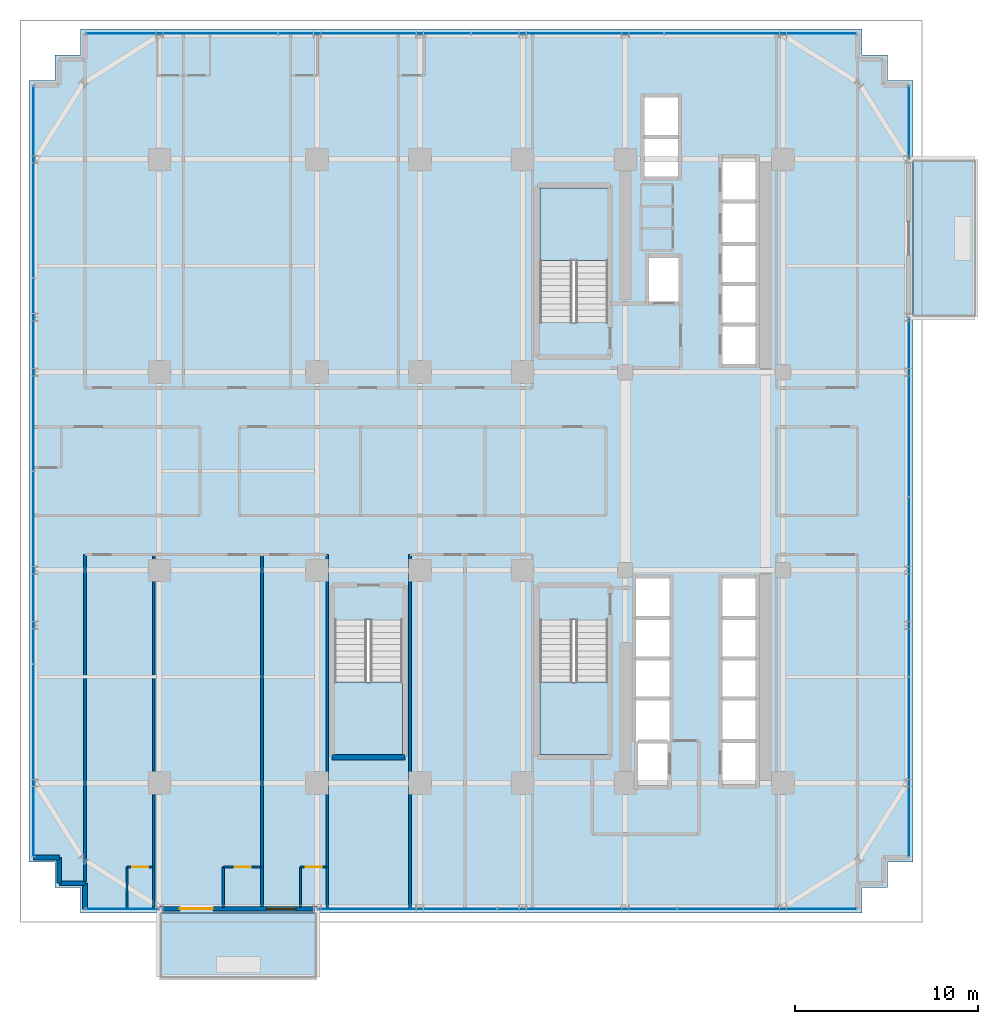
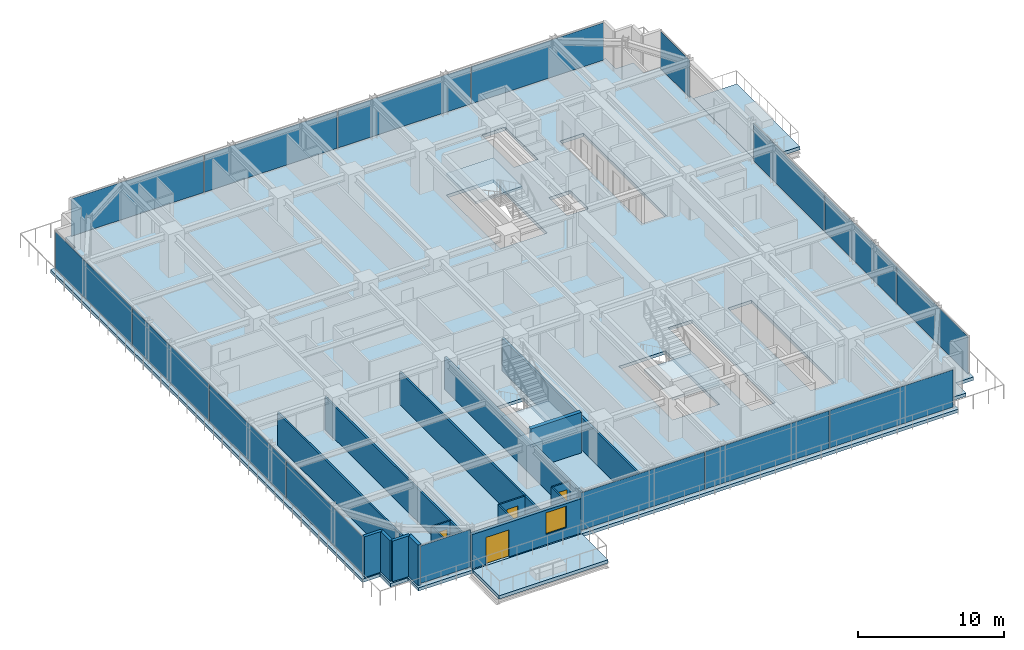
# One storey, part 26 of 34: 17 walls, 16 plates, 6 slabs, 4 doors, 1 window, 5 openings, 9 elements without a shape of their own.
"""IFC4 building model written with IfcOpenShell, lengths in metres."""

from ifc_helpers import new_model, si_unit, direction, frame, frame_2d, origin, origin_2d, place, context, subcontext, project, spatial, polyline, rectangle, outline, extrude, source, transform, mapped, material, layer, layer_set, type_object, element, fill, aggregate, save


model = new_model("IFC4")

# Units and contexts
model_context = context("Model", 3, precision=1e-05, world=origin(), true_north=direction((0.0, 1.0)))
body_context = subcontext(model_context, "Body", "Model", "MODEL_VIEW")
ifc_project = project(units=[si_unit("LENGTHUNIT", "METRE"), si_unit("AREAUNIT", "SQUARE_METRE"), si_unit("VOLUMEUNIT", "CUBIC_METRE"), si_unit("PLANEANGLEUNIT", "RADIAN"), si_unit("MASSUNIT", "GRAM", prefix="KILO")], contexts=[model_context])

# Site, building, storey
site_placement = place(None, origin())
site = spatial("IfcSite", under=ifc_project, at=site_placement, CompositionType="ELEMENT")
building_placement = place(site_placement, origin())
building = spatial("IfcBuilding", under=site, at=building_placement, Name="Nahalor Promenade Grand Hotel", CompositionType="ELEMENT")
storey_placement = place(building_placement, frame((0.0, 0.0, 88.300048828125)))
storey = spatial("IfcBuildingStorey", under=building, at=storey_placement, Name="L21", CompositionType="ELEMENT", Elevation=88.300048828125)

# Stair, slab
ifc_material_1 = material(Name="Concrete B-50 (C40/50)", Category="concrete")
stair_type_1 = type_object("IfcStairType", Name="Stair-ST1", PredefinedType="HALF_TURN_STAIR", material=ifc_material_1)
stair_1_placement = place(storey_placement, origin())
stair_1 = element("IfcStair", 1, at=stair_1_placement, inside=storey, type_object=stair_type_1, Name="L21 ST1", PredefinedType="HALF_TURN_STAIR")
ifc_layer_1 = layer(ifc_material_1, 0.199951171875)
ifc_layer_set_1 = layer_set([ifc_layer_1], Name="Concrete B-50 (C40/50)")
slab_type_1 = type_object("IfcSlabType", Name="Landing-ST1", PredefinedType="LANDING", material=ifc_layer_set_1)
slab_1_placement = place(storey_placement, frame((0.0, 0.0, 1.625)))
slab_1 = element("IfcSlab", 2, at=slab_1_placement, type_object=slab_type_1, Name="ST1 landing 1", PredefinedType="LANDING", context=body_context, shape_type="SweptSolid", body=[
    extrude(outline(polyline([(7.449951171875, 11.5), (7.449951171875, 15.449951171875), (3.75, 15.449951171875), (3.75, 11.5), (7.449951171875, 11.5)])), origin(), (0.0, 0.0, 1.0), 0.199951171875),
])
aggregate(stair_1, [slab_1])

stair_type_2 = type_object("IfcStairType", Name="Stair-ST2", PredefinedType="HALF_TURN_STAIR", material=ifc_material_1)
stair_2_placement = place(storey_placement, origin())
stair_2 = element("IfcStair", 3, at=stair_2_placement, inside=storey, type_object=stair_type_2, Name="L21 ST2", PredefinedType="HALF_TURN_STAIR")
ifc_layer_2 = layer(ifc_material_1, 0.2099609375)
ifc_layer_set_2 = layer_set([ifc_layer_2], Name="Concrete B-50 (C40/50)")
slab_type_2 = type_object("IfcSlabType", Name="Landing-ST2", PredefinedType="LANDING", material=ifc_layer_set_2)
slab_2_placement = place(storey_placement, frame((0.0, 0.0, 1.614990234375)))
slab_2 = element("IfcSlab", 4, at=slab_2_placement, type_object=slab_type_2, Name="ST2 landing 1", PredefinedType="LANDING", context=body_context, shape_type="SweptSolid", body=[
    extrude(outline(polyline([(3.75, -11.5), (3.75, -15.449951171875), (7.449951171875, -15.449951171875), (7.449951171875, -11.5), (3.75, -11.5)])), origin(), (0.0, 0.0, 1.0), 0.2099609375),
])
aggregate(stair_2, [slab_2])

stair_type_3 = type_object("IfcStairType", Name="Stair-ST3", PredefinedType="HALF_TURN_STAIR", material=ifc_material_1)
stair_3_placement = place(storey_placement, origin())
stair_3 = element("IfcStair", 5, at=stair_3_placement, inside=storey, type_object=stair_type_3, Name="L21 ST3", PredefinedType="HALF_TURN_STAIR")
ifc_layer_3 = layer(ifc_material_1, 0.219970703125)
ifc_layer_set_3 = layer_set([ifc_layer_3], Name="Concrete B-50 (C40/50)")
slab_type_3 = type_object("IfcSlabType", Name="Landing-ST3", PredefinedType="LANDING", material=ifc_layer_set_3)
slab_3_placement = place(storey_placement, frame((0.0, 0.0, 1.60498046875)))
slab_3 = element("IfcSlab", 6, at=slab_3_placement, type_object=slab_type_3, Name="ST3 landing 1", PredefinedType="LANDING", context=body_context, shape_type="SweptSolid", body=[
    extrude(outline(polyline([(-7.449951171875, -11.5), (-7.449951171875, -15.449951171875), (-3.75, -15.449951171875), (-3.75, -11.5), (-7.449951171875, -11.5)])), origin(), (0.0, 0.0, 1.0), 0.219970703125),
])
aggregate(stair_3, [slab_3])

# Slabs
ifc_layer_4 = layer(ifc_material_1, 0.280029296875)
ifc_layer_set_4 = layer_set([ifc_layer_4], Name="Concrete B-50 (C40/50)")
slab_type_4 = type_object("IfcSlabType", Name="Slab-Balcony-280", PredefinedType="FLOOR", material=ifc_layer_set_4)
slab_4_placement = place(storey_placement, frame((0.0, 0.0, -0.280029296875)))
element("IfcSlab", 7, at=slab_4_placement, inside=storey, type_object=slab_type_4, Name="L21 Cantilevered Planted Balcony 1", PredefinedType="FLOOR", context=body_context, shape_type="SweptSolid", body=[
    extrude(outline(polyline([(-17.0, -27.669921875), (-8.39990234375, -27.669921875), (-8.39990234375, -24.10009765625), (-17.0, -24.10009765625), (-17.0, -27.669921875)])), origin(), (0.0, 0.0, 1.0), 0.280029296875),
])
slab_5_placement = place(storey_placement, frame((0.0, 0.0, -0.280029296875)))
element("IfcSlab", 8, at=slab_5_placement, inside=storey, type_object=slab_type_4, Name="L21 Cantilevered Planted Balcony 2", PredefinedType="FLOOR", context=body_context, shape_type="SweptSolid", body=[
    extrude(outline(polyline([(24.10009765625, 8.39990234375), (27.550048828125, 8.39990234375), (27.550048828125, 17.0), (24.10009765625, 17.0), (24.10009765625, 8.39990234375)])), origin(), (0.0, 0.0, 1.0), 0.280029296875),
])
ifc_layer_5 = layer(ifc_material_1, 0.27001953125)
ifc_layer_set_5 = layer_set([ifc_layer_5], Name="Concrete B-50 (C40/50)")
slab_type_5 = type_object("IfcSlabType", Name="Slab-TowerZ2-270", PredefinedType="FLOOR", material=ifc_layer_set_5)
slab_6_placement = place(storey_placement, frame((0.0, 0.0, -0.27001953125)))
element("IfcSlab", 9, at=slab_6_placement, inside=storey, type_object=slab_type_5, Name="L21 Suspended Structural Floor Slab", PredefinedType="FLOOR", context=body_context, shape_type="SweptSolid", body=[
    extrude(outline(polyline([(-21.300048828125, -24.10009765625), (21.300048828125, -24.10009765625), (21.300048828125, -22.699951171875), (22.699951171875, -22.699951171875), (22.699951171875, -21.300048828125), (24.10009765625, -21.300048828125), (24.10009765625, 21.300048828125), (22.699951171875, 21.300048828125), (22.699951171875, 22.699951171875), (21.300048828125, 22.699951171875), (21.300048828125, 24.10009765625), (-21.300048828125, 24.10009765625), (-21.300048828125, 22.699951171875), (-22.699951171875, 22.699951171875), (-22.699951171875, 21.300048828125), (-24.10009765625, 21.300048828125), (-24.10009765625, -21.300048828125), (-22.699951171875, -21.300048828125), (-22.699951171875, -22.699951171875), (-21.300048828125, -22.699951171875), (-21.300048828125, -24.10009765625)]), holes=[polyline([(3.75, 8.10009765625), (7.449951171875, 8.10009765625), (7.449951171875, 15.449951171875), (3.75, 15.449951171875), (3.75, 8.10009765625)]), polyline([(3.75, -15.449951171875), (7.449951171875, -15.449951171875), (7.449951171875, -8.10009765625), (3.75, -8.10009765625), (3.75, -15.449951171875)]), polyline([(-7.449951171875, -15.449951171875), (-3.75, -15.449951171875), (-3.75, -8.10009765625), (-7.449951171875, -8.10009765625), (-7.449951171875, -15.449951171875)]), polyline([(13.659912109375, 5.81005859375), (15.5400390625, 5.81005859375), (15.5400390625, 17.139892578125), (13.659912109375, 17.139892578125), (13.659912109375, 5.81005859375)]), polyline([(13.659912109375, -17.139892578125), (15.5400390625, -17.139892578125), (15.5400390625, -5.81005859375), (13.659912109375, -5.81005859375), (13.659912109375, -17.139892578125)]), polyline([(8.9599609375, -17.18994140625), (10.840087890625, -17.18994140625), (10.840087890625, -5.81005859375), (8.9599609375, -5.81005859375), (8.9599609375, -17.18994140625)]), polyline([(9.409912109375, 16.010009765625), (11.2900390625, 16.010009765625), (11.2900390625, 20.43994140625), (9.409912109375, 20.43994140625), (9.409912109375, 16.010009765625)]), polyline([(9.659912109375, 9.2099609375), (11.340087890625, 9.2099609375), (11.340087890625, 11.68994140625), (9.659912109375, 11.68994140625), (9.659912109375, 9.2099609375)])]), origin(), (0.0, 0.0, 1.0), 0.27001953125),
])

# Curtain wall, plate
ifc_material_2 = material(Name="Anodised Bronze Aluminium EN AW-6063 T6", Category="aluminium")
curtain_wall_type = type_object("IfcCurtainWallType", Name="CW2 Typical Hotel Flush Bronze Unitised Curtain Wall", PredefinedType="USERDEFINED", material=ifc_material_2)
curtain_wall_1_placement = place(storey_placement, origin())
curtain_wall_1 = element("IfcCurtainWall", 10, at=curtain_wall_1_placement, inside=storey, type_object=curtain_wall_type, Name="L21 Curtain Wall CW-L21-S-1", ObjectType="UNITISED_CURTAIN_WALL", PredefinedType="USERDEFINED")
ifc_material_3 = material(Name="Low-E Laminated Solar Glass", Category="glass")
ifc_layer_6 = layer(ifc_material_3, 0.028076171875)
ifc_layer_set_6 = layer_set([ifc_layer_6], Name="Low-E Laminated Solar Glass")
plate_type = type_object("IfcPlateType", Name="CWP2 Bronze Low-E Vision IGU 28mm", PredefinedType="CURTAIN_PANEL", material=ifc_layer_set_6)
shared_shape_1 = source(origin(), body_context, "Body", "SweptSolid", [
    extrude(rectangle(XDim=3.929931640625, YDim=0.028076171875, at=origin_2d()), origin(), (0.0, 0.0, 1.0), 3.1201171875),
])
plate_1_placement = place(storey_placement, frame((-19.030029296875, -23.860107421875, 0.1298828125), z_axis=(0.0, 0.0, 1.0), x_axis=(1.0, 0.0, 0.0)))
plate_1 = element("IfcPlate", 11, at=plate_1_placement, type_object=plate_type, Name="CW-L21-S-1 Glazing Panel 0-0", PredefinedType="CURTAIN_PANEL", context=body_context, shape_type="MappedRepresentation", body=[
    mapped(shared_shape_1, transform((0.0, 0.0, 0.0), scale=1.0)),
])
aggregate(curtain_wall_1, [plate_1])

curtain_wall_2_placement = place(storey_placement, origin())
curtain_wall_2 = element("IfcCurtainWall", 12, at=curtain_wall_2_placement, inside=storey, type_object=curtain_wall_type, Name="L21 Curtain Wall CW-L21-E-3", ObjectType="UNITISED_CURTAIN_WALL", PredefinedType="USERDEFINED")
plate_2_placement = place(storey_placement, frame((23.860107421875, 19.030029296875, 0.1298828125), z_axis=(0.0, 0.0, 1.0), x_axis=(0.0, 1.0, 0.0)))
plate_2 = element("IfcPlate", 13, at=plate_2_placement, type_object=plate_type, Name="CW-L21-E-3 Glazing Panel 0-0", PredefinedType="CURTAIN_PANEL", context=body_context, shape_type="MappedRepresentation", body=[
    mapped(shared_shape_1, transform((0.0, 0.0, 0.0), scale=1.0)),
])
aggregate(curtain_wall_2, [plate_2])

# Curtain wall, plates
curtain_wall_3_placement = place(storey_placement, origin())
curtain_wall_3 = element("IfcCurtainWall", 14, at=curtain_wall_3_placement, inside=storey, type_object=curtain_wall_type, Name="L21 Curtain Wall CW-L21-S-3", ObjectType="UNITISED_CURTAIN_WALL", PredefinedType="USERDEFINED")
shared_shape_2 = source(origin(), body_context, "Body", "SweptSolid", [
    extrude(rectangle(XDim=9.722412109375, YDim=0.028076171875, at=origin_2d()), origin(), (0.0, 0.0, 1.0), 3.1201171875),
])
plate_3_placement = place(storey_placement, frame((-3.4736328125, -23.860107421875, 0.1298828125), z_axis=(0.0, 0.0, 1.0), x_axis=(1.0, 0.0, 0.0)))
plate_3 = element("IfcPlate", 15, at=plate_3_placement, type_object=plate_type, Name="CW-L21-S-3 Glazing Panel 0-0", PredefinedType="CURTAIN_PANEL", context=body_context, shape_type="MappedRepresentation", body=[
    mapped(shared_shape_2, transform((0.0, 0.0, 0.0), scale=1.0)),
])
plate_4_placement = place(storey_placement, frame((16.1337890625, -23.860107421875, 0.1298828125), z_axis=(0.0, 0.0, 1.0), x_axis=(1.0, 0.0, 0.0)))
plate_4 = element("IfcPlate", 16, at=plate_4_placement, type_object=plate_type, Name="CW-L21-S-3 Glazing Panel 2-0", PredefinedType="CURTAIN_PANEL", context=body_context, shape_type="MappedRepresentation", body=[
    mapped(shared_shape_2, transform((0.0, 0.0, 0.0), scale=1.0)),
])

curtain_wall_4_placement = place(storey_placement, origin())
curtain_wall_4 = element("IfcCurtainWall", 17, at=curtain_wall_4_placement, inside=storey, type_object=curtain_wall_type, Name="L21 Curtain Wall CW-L21-E-1", ObjectType="UNITISED_CURTAIN_WALL", PredefinedType="USERDEFINED")
plate_5_placement = place(storey_placement, frame((23.860107421875, -16.1337890625, 0.1298828125), z_axis=(0.0, 0.0, 1.0), x_axis=(0.0, 1.0, 0.0)))
plate_5 = element("IfcPlate", 18, at=plate_5_placement, type_object=plate_type, Name="CW-L21-E-1 Glazing Panel 0-0", PredefinedType="CURTAIN_PANEL", context=body_context, shape_type="MappedRepresentation", body=[
    mapped(shared_shape_2, transform((0.0, 0.0, 0.0), scale=1.0)),
])
plate_6_placement = place(storey_placement, frame((23.860107421875, 3.4736328125, 0.1298828125), z_axis=(0.0, 0.0, 1.0), x_axis=(0.0, 1.0, 0.0)))
plate_6 = element("IfcPlate", 19, at=plate_6_placement, type_object=plate_type, Name="CW-L21-E-1 Glazing Panel 2-0", PredefinedType="CURTAIN_PANEL", context=body_context, shape_type="MappedRepresentation", body=[
    mapped(shared_shape_2, transform((0.0, 0.0, 0.0), scale=1.0)),
])

# Plate
shared_shape_3 = source(origin(), body_context, "Body", "SweptSolid", [
    extrude(rectangle(XDim=9.7548828125, YDim=0.028076171875, at=origin_2d()), origin(), (0.0, 0.0, 1.0), 3.1201171875),
])
plate_7_placement = place(storey_placement, frame((6.330078125, -23.860107421875, 0.1298828125), z_axis=(0.0, 0.0, 1.0), x_axis=(1.0, 0.0, 0.0)))
plate_7 = element("IfcPlate", 20, at=plate_7_placement, type_object=plate_type, Name="CW-L21-S-3 Glazing Panel 1-0", PredefinedType="CURTAIN_PANEL", context=body_context, shape_type="MappedRepresentation", body=[
    mapped(shared_shape_3, transform((0.0, 0.0, 0.0), scale=1.0)),
])

aggregate(curtain_wall_3, [plate_3, plate_7, plate_4])

plate_8_placement = place(storey_placement, frame((23.860107421875, -6.330078125, 0.1298828125), z_axis=(0.0, 0.0, 1.0), x_axis=(0.0, 1.0, 0.0)))
plate_8 = element("IfcPlate", 21, at=plate_8_placement, type_object=plate_type, Name="CW-L21-E-1 Glazing Panel 1-0", PredefinedType="CURTAIN_PANEL", context=body_context, shape_type="MappedRepresentation", body=[
    mapped(shared_shape_3, transform((0.0, 0.0, 0.0), scale=1.0)),
])

aggregate(curtain_wall_4, [plate_5, plate_8, plate_6])

# Curtain wall, plates
curtain_wall_5_placement = place(storey_placement, origin())
curtain_wall_5 = element("IfcCurtainWall", 22, at=curtain_wall_5_placement, inside=storey, type_object=curtain_wall_type, Name="L21 Curtain Wall CW-L21-N-1", ObjectType="UNITISED_CURTAIN_WALL", PredefinedType="USERDEFINED")
shared_shape_4 = source(origin(), body_context, "Body", "SweptSolid", [
    extrude(rectangle(XDim=10.4326171875, YDim=0.028076171875, at=origin_2d()), origin(), (0.0, 0.0, 1.0), 3.1201171875),
])
plate_9_placement = place(storey_placement, frame((-15.77880859375, 23.860107421875, 0.1298828125), z_axis=(0.0, 0.0, 1.0), x_axis=(1.0, 0.0, 0.0)))
plate_9 = element("IfcPlate", 23, at=plate_9_placement, type_object=plate_type, Name="CW-L21-N-1 Glazing Panel 0-0", PredefinedType="CURTAIN_PANEL", context=body_context, shape_type="MappedRepresentation", body=[
    mapped(shared_shape_4, transform((0.0, 0.0, 0.0), scale=1.0)),
])
plate_10_placement = place(storey_placement, frame((15.77880859375, 23.860107421875, 0.1298828125), z_axis=(0.0, 0.0, 1.0), x_axis=(1.0, 0.0, 0.0)))
plate_10 = element("IfcPlate", 24, at=plate_10_placement, type_object=plate_type, Name="CW-L21-N-1 Glazing Panel 3-0", PredefinedType="CURTAIN_PANEL", context=body_context, shape_type="MappedRepresentation", body=[
    mapped(shared_shape_4, transform((0.0, 0.0, 0.0), scale=1.0)),
])

curtain_wall_6_placement = place(storey_placement, origin())
curtain_wall_6 = element("IfcCurtainWall", 25, at=curtain_wall_6_placement, inside=storey, type_object=curtain_wall_type, Name="L21 Curtain Wall CW-L21-W-1", ObjectType="UNITISED_CURTAIN_WALL", PredefinedType="USERDEFINED")
plate_11_placement = place(storey_placement, frame((-23.860107421875, -15.77880859375, 0.1298828125), z_axis=(0.0, 0.0, 1.0), x_axis=(0.0, 1.0, 0.0)))
plate_11 = element("IfcPlate", 26, at=plate_11_placement, type_object=plate_type, Name="CW-L21-W-1 Glazing Panel 0-0", PredefinedType="CURTAIN_PANEL", context=body_context, shape_type="MappedRepresentation", body=[
    mapped(shared_shape_4, transform((0.0, 0.0, 0.0), scale=1.0)),
])
plate_12_placement = place(storey_placement, frame((-23.860107421875, 15.77880859375, 0.1298828125), z_axis=(0.0, 0.0, 1.0), x_axis=(0.0, 1.0, 0.0)))
plate_12 = element("IfcPlate", 27, at=plate_12_placement, type_object=plate_type, Name="CW-L21-W-1 Glazing Panel 3-0", PredefinedType="CURTAIN_PANEL", context=body_context, shape_type="MappedRepresentation", body=[
    mapped(shared_shape_4, transform((0.0, 0.0, 0.0), scale=1.0)),
])

# Plate
shared_shape_5 = source(origin(), body_context, "Body", "SweptSolid", [
    extrude(rectangle(XDim=10.465087890625, YDim=0.028076171875, at=origin_2d()), origin(), (0.0, 0.0, 1.0), 3.1201171875),
])
plate_13_placement = place(storey_placement, frame((-5.264892578125, 23.860107421875, 0.1298828125), z_axis=(0.0, 0.0, 1.0), x_axis=(1.0, 0.0, 0.0)))
plate_13 = element("IfcPlate", 28, at=plate_13_placement, type_object=plate_type, Name="CW-L21-N-1 Glazing Panel 1-0", PredefinedType="CURTAIN_PANEL", context=body_context, shape_type="MappedRepresentation", body=[
    mapped(shared_shape_5, transform((0.0, 0.0, 0.0), scale=1.0)),
])

plate_14_placement = place(storey_placement, frame((5.264892578125, 23.860107421875, 0.1298828125), z_axis=(0.0, 0.0, 1.0), x_axis=(1.0, 0.0, 0.0)))
plate_14 = element("IfcPlate", 29, at=plate_14_placement, type_object=plate_type, Name="CW-L21-N-1 Glazing Panel 2-0", PredefinedType="CURTAIN_PANEL", context=body_context, shape_type="MappedRepresentation", body=[
    mapped(shared_shape_5, transform((0.0, 0.0, 0.0), scale=1.0)),
])

aggregate(curtain_wall_5, [plate_9, plate_13, plate_14, plate_10])

plate_15_placement = place(storey_placement, frame((-23.860107421875, -5.264892578125, 0.1298828125), z_axis=(0.0, 0.0, 1.0), x_axis=(0.0, 1.0, 0.0)))
plate_15 = element("IfcPlate", 30, at=plate_15_placement, type_object=plate_type, Name="CW-L21-W-1 Glazing Panel 1-0", PredefinedType="CURTAIN_PANEL", context=body_context, shape_type="MappedRepresentation", body=[
    mapped(shared_shape_5, transform((0.0, 0.0, 0.0), scale=1.0)),
])

plate_16_placement = place(storey_placement, frame((-23.860107421875, 5.264892578125, 0.1298828125), z_axis=(0.0, 0.0, 1.0), x_axis=(0.0, 1.0, 0.0)))
plate_16 = element("IfcPlate", 31, at=plate_16_placement, type_object=plate_type, Name="CW-L21-W-1 Glazing Panel 2-0", PredefinedType="CURTAIN_PANEL", context=body_context, shape_type="MappedRepresentation", body=[
    mapped(shared_shape_5, transform((0.0, 0.0, 0.0), scale=1.0)),
])

aggregate(curtain_wall_6, [plate_11, plate_15, plate_16, plate_12])

# Walls
ifc_layer_7 = layer(ifc_material_1, 0.300048828125)
ifc_layer_set_7 = layer_set([ifc_layer_7], Name="Concrete B-50 (C40/50)")
wall_type_1 = type_object("IfcWallType", Name="Wall-ShaftShear-300", PredefinedType="SHEAR", material=ifc_layer_set_7)
shared_shape_6 = source(origin(), body_context, "Body", "SweptSolid", [
    extrude(rectangle(XDim=3.97998046875, YDim=0.300048828125, at=frame_2d((1.989990234375, 0.0))), origin(), (0.0, 0.0, 1.0), 3.3798828125),
])
wall_1_placement = place(storey_placement, frame((-7.590087890625, -15.590087890625, 0.0), z_axis=(0.0, 0.0, 1.0), x_axis=(1.0, 0.0, 0.0)))
element("IfcWall", 32, at=wall_1_placement, inside=storey, type_object=wall_type_1, Name="L21 Exit Stair ST3 Shaft Wall S", PredefinedType="SHEAR", context=body_context, shape_type="MappedRepresentation", body=[
    mapped(shared_shape_6, transform((0.0, 0.0, 0.0), scale=1.0)),
])
ifc_material_4 = material(Name="Concrete B-40 (C32/40)", Category="concrete")
ifc_layer_8 = layer(ifc_material_4, 0.25)
ifc_layer_set_8 = layer_set([ifc_layer_8], Name="Concrete B-40 (C32/40)")
wall_type_2 = type_object("IfcWallType", Name="Wall-BronzePier-250", PredefinedType="STANDARD", material=ifc_layer_set_8)
shared_shape_7 = source(origin(), body_context, "Body", "SweptSolid", [
    extrude(rectangle(XDim=1.400146484375, YDim=0.25, at=frame_2d((0.7001953125, 0.0))), origin(), (0.0, 0.0, 1.0), 3.3798828125),
])
for number, where, z_axis, x_axis, name in (
    (33, (-23.860107421875, -21.06005859375, 0.0), (0.0, 0.0, 1.0), (1.0, 0.0, 0.0), "W-L21-SR-13"),
    (34, (-21.06005859375, -23.860107421875, 0.0), (0.0, 0.0, 1.0), (0.0, 1.0, 0.0), "W-L21-SR-16"),
):
    element("IfcWall", number, at=place(storey_placement, frame(where, z_axis=z_axis, x_axis=x_axis)), inside=storey, type_object=wall_type_2, Name=name, PredefinedType="STANDARD", context=body_context, shape_type="MappedRepresentation", body=[
        mapped(shared_shape_7, transform((0.0, 0.0, 0.0), scale=1.0)),
    ])
shared_shape_8 = source(origin(), body_context, "Body", "SweptSolid", [
    extrude(rectangle(XDim=1.39990234375, YDim=0.25, at=frame_2d((0.699951171875, 0.0))), origin(), (0.0, 0.0, 1.0), 3.3798828125),
])
for number, where, z_axis, x_axis, name in (
    (35, (-22.4599609375, -22.4599609375, 0.0), (0.0, 0.0, 1.0), (0.0, 1.0, 0.0), "W-L21-SR-14"),
    (36, (-22.4599609375, -22.4599609375, 0.0), (0.0, 0.0, 1.0), (1.0, 0.0, 0.0), "W-L21-SR-15"),
):
    element("IfcWall", number, at=place(storey_placement, frame(where, z_axis=z_axis, x_axis=x_axis)), inside=storey, type_object=wall_type_2, Name=name, PredefinedType="STANDARD", context=body_context, shape_type="MappedRepresentation", body=[
        mapped(shared_shape_8, transform((0.0, 0.0, 0.0), scale=1.0)),
    ])

# Wall, openings, door, window
ifc_layer_9 = layer(ifc_material_4, 0.260009765625)
ifc_layer_set_9 = layer_set([ifc_layer_9], Name="Concrete B-40 (C32/40)")
wall_type_3 = type_object("IfcWallType", Name="Wall-BalconyWall-260", PredefinedType="STANDARD", material=ifc_layer_set_9)
shared_shape_9 = source(origin(), body_context, "Body", "SweptSolid", [
    extrude(rectangle(XDim=8.60009765625, YDim=0.260009765625, at=frame_2d((4.300048828125, 0.0))), origin(), (0.0, 0.0, 1.0), 2.85986328125),
])
wall_2_placement = place(storey_placement, frame((-17.0, -23.860107421875, 0.0), z_axis=(0.0, 0.0, 1.0), x_axis=(1.0, 0.0, 0.0)))
wall_2 = element("IfcWall", 37, at=wall_2_placement, inside=storey, type_object=wall_type_3, Name="W-L21-BALC-S-2", PredefinedType="STANDARD", context=body_context, shape_type="MappedRepresentation", body=[
    mapped(shared_shape_9, transform((0.0, 0.0, 0.0), scale=1.0)),
])
opening_1_placement = place(wall_2_placement, frame((1.114990234375, 0.0, 0.0)))
opening_1 = element("IfcOpeningElement", 38, at=opening_1_placement, cuts=wall_2, Name="Opening D-BC1", PredefinedType="OPENING", context=body_context, shape_type="SweptSolid", body=[
    extrude(rectangle(XDim=1.800048828125, YDim=2.25, at=frame_2d((0.89990234375, 1.125))), frame((0.0, 0.139892578125, 0.0), z_axis=(0.0, -1.0, 0.0), x_axis=(1.0, 0.0, 0.0)), (0.0, 0.0, 1.0), 0.280029296875),
])
opening_2_placement = place(wall_2_placement, frame((5.840087890625, 0.0, 0.85009765625)))
opening_2 = element("IfcOpeningElement", 39, at=opening_2_placement, cuts=wall_2, Name="Opening WN-03", PredefinedType="OPENING", context=body_context, shape_type="SweptSolid", body=[
    extrude(rectangle(XDim=1.60009765625, YDim=1.800048828125, at=frame_2d((0.800048828125, 0.89990234375))), frame((0.0, 0.139892578125, 0.0), z_axis=(0.0, -1.0, 0.0), x_axis=(1.0, 0.0, 0.0)), (0.0, 0.0, 1.0), 0.280029296875),
])
door_type_1 = type_object("IfcDoorType", Name="Door-BalconySlide-1800", OperationType="DOUBLE_DOOR_SLIDING", PredefinedType="DOOR", material=ifc_material_2)
shared_shape_10 = source(origin(), body_context, "Body", "SweptSolid", [
    extrude(rectangle(XDim=1.800048828125, YDim=2.25, at=frame_2d((0.89990234375, 1.125))), frame((0.0, 0.02490234375, 0.0), z_axis=(0.0, -1.0, 0.0), x_axis=(1.0, 0.0, 0.0)), (0.0, 0.0, 1.0), 0.050048828125),
])
door_1_placement = place(opening_1_placement, frame((1.800048828125, 0.0, 0.0), z_axis=(0.0, 0.0, 1.0), x_axis=(-1.0, 0.0, 0.0)))
door_1 = element("IfcDoor", 40, at=door_1_placement, inside=storey, type_object=door_type_1, Name="DR-L21-BALC-S-2", OperationType="DOUBLE_DOOR_SLIDING", OverallHeight=2.25, OverallWidth=1.800048828125, PredefinedType="DOOR", context=body_context, shape_type="MappedRepresentation", body=[
    mapped(shared_shape_10, transform((0.0, 0.0, 0.0), scale=1.0)),
])
fill(opening_1, door_1)
window_type = type_object("IfcWindowType", Name="Win-CrownVented-1600x1800", PartitioningType="SINGLE_PANEL", PredefinedType="WINDOW", material=ifc_material_3)
shared_shape_11 = source(origin(), body_context, "Body", "SweptSolid", [
    extrude(rectangle(XDim=1.60009765625, YDim=1.800048828125, at=frame_2d((0.800048828125, 0.89990234375))), frame((0.0, 0.030029296875, 0.0), z_axis=(0.0, -1.0, 0.0), x_axis=(1.0, 0.0, 0.0)), (0.0, 0.0, 1.0), 0.06005859375),
])
window_placement = place(opening_2_placement, origin())
window = element("IfcWindow", 41, at=window_placement, inside=storey, type_object=window_type, Name="WN-L21-BALC-S-2-1", OverallHeight=1.800048828125, OverallWidth=1.60009765625, PartitioningType="SINGLE_PANEL", PredefinedType="WINDOW", context=body_context, shape_type="MappedRepresentation", body=[
    mapped(shared_shape_11, transform((0.0, 0.0, 0.0), scale=1.0)),
])
fill(opening_2, window)

# Walls
ifc_material_5 = material(Name="Acoustic Mineral Gypsum", Category="gypsum")
ifc_layer_10 = layer(ifc_material_5, 0.159912109375)
ifc_layer_set_10 = layer_set([ifc_layer_10], Name="Acoustic Mineral Gypsum")
wall_type_4 = type_object("IfcWallType", Name="Wall-PartCorridor-160", PredefinedType="PARTITIONING", material=ifc_layer_set_10)
shared_shape_12 = source(origin(), body_context, "Body", "SweptSolid", [
    extrude(rectangle(XDim=19.25, YDim=0.159912109375, at=frame_2d((9.625, 0.0))), origin(), (0.0, 0.0, 1.0), 2.719970703125),
])
wall_3_placement = place(storey_placement, frame((-3.340087890625, -23.800048828125, 0.0), z_axis=(0.0, 0.0, 1.0), x_axis=(0.0, 1.0, 0.0)))
element("IfcWall", 42, at=wall_3_placement, inside=storey, type_object=wall_type_4, Name="W-L21-SCB1-W", PredefinedType="PARTITIONING", context=body_context, shape_type="MappedRepresentation", body=[
    mapped(shared_shape_12, transform((0.0, 0.0, 0.0), scale=1.0)),
])
ifc_layer_11 = layer(ifc_material_5, 0.139892578125)
ifc_layer_set_11 = layer_set([ifc_layer_11], Name="Acoustic Mineral Gypsum")
wall_type_5 = type_object("IfcWallType", Name="Wall-PartSuite-140", PredefinedType="PARTITIONING", material=ifc_layer_set_11)
shared_shape_13 = source(origin(), body_context, "Body", "SweptSolid", [
    extrude(rectangle(XDim=17.829833984375, YDim=0.139892578125, at=frame_2d((8.9150390625, 0.0))), origin(), (0.0, 0.0, 1.0), 2.719970703125),
])
wall_4_placement = place(storey_placement, frame((-21.06005859375, -22.3798828125, 0.0), z_axis=(0.0, 0.0, 1.0), x_axis=(0.0, 1.0, 0.0)))
element("IfcWall", 43, at=wall_4_placement, inside=storey, type_object=wall_type_5, Name="W-L21-SW-ENDW", PredefinedType="PARTITIONING", context=body_context, shape_type="MappedRepresentation", body=[
    mapped(shared_shape_13, transform((0.0, 0.0, 0.0), scale=1.0)),
])
shared_shape_14 = source(origin(), body_context, "Body", "SweptSolid", [
    extrude(rectangle(XDim=19.25, YDim=0.139892578125, at=frame_2d((9.625, 0.0))), origin(), (0.0, 0.0, 1.0), 2.719970703125),
])
for number, where, z_axis, x_axis, name in (
    (44, (-7.860107421875, -23.800048828125, 0.0), (0.0, 0.0, 1.0), (0.0, 1.0, 0.0), "W-L21-SW-ENDE"),
    (45, (-17.322021484375, -23.800048828125, 0.0), (0.0, 0.0, 1.0), (0.0, 1.0, 0.0), "W-L21-SP-1"),
    (46, (-11.409912109375, -23.800048828125, 0.0), (0.0, 0.0, 1.0), (0.0, 1.0, 0.0), "W-L21-SP-2"),
):
    element("IfcWall", number, at=place(storey_placement, frame(where, z_axis=z_axis, x_axis=x_axis)), inside=storey, type_object=wall_type_5, Name=name, PredefinedType="PARTITIONING", context=body_context, shape_type="MappedRepresentation", body=[
        mapped(shared_shape_14, transform((0.0, 0.0, 0.0), scale=1.0)),
    ])
ifc_layer_12 = layer(ifc_material_5, 0.1201171875)
ifc_layer_set_12 = layer_set([ifc_layer_12], Name="Acoustic Mineral Gypsum")
wall_type_6 = type_object("IfcWallType", Name="Wall-PartBath-120", PredefinedType="PARTITIONING", material=ifc_layer_set_12)
shared_shape_15 = source(origin(), body_context, "Body", "SweptSolid", [
    extrude(rectangle(XDim=2.219970703125, YDim=0.1201171875, at=frame_2d((1.10986328125, 0.0))), origin(), (0.0, 0.0, 1.0), 2.719970703125),
])
for number, where, z_axis, x_axis, name in (
    (47, (-18.77197265625, -23.800048828125, 0.0), (0.0, 0.0, 1.0), (0.0, 1.0, 0.0), "W-L21-S1-BV"),
    (48, (-13.52001953125, -23.800048828125, 0.0), (0.0, 0.0, 1.0), (0.0, 1.0, 0.0), "W-L21-S2-BV"),
    (49, (-9.31005859375, -23.800048828125, 0.0), (0.0, 0.0, 1.0), (0.0, 1.0, 0.0), "W-L21-S3-BV"),
):
    element("IfcWall", number, at=place(storey_placement, frame(where, z_axis=z_axis, x_axis=x_axis)), inside=storey, type_object=wall_type_6, Name=name, PredefinedType="PARTITIONING", context=body_context, shape_type="MappedRepresentation", body=[
        mapped(shared_shape_15, transform((0.0, 0.0, 0.0), scale=1.0)),
    ])

# Wall, opening, door
shared_shape_16 = source(origin(), body_context, "Body", "SweptSolid", [
    extrude(rectangle(XDim=1.449951171875, YDim=0.1201171875, at=frame_2d((0.72509765625, 0.0))), origin(), (0.0, 0.0, 1.0), 2.719970703125),
])
wall_5_placement = place(storey_placement, frame((-18.77197265625, -21.580078125, 0.0), z_axis=(0.0, 0.0, 1.0), x_axis=(1.0, 0.0, 0.0)))
wall_5 = element("IfcWall", 50, at=wall_5_placement, inside=storey, type_object=wall_type_6, Name="W-L21-S1-BH", PredefinedType="PARTITIONING", context=body_context, shape_type="MappedRepresentation", body=[
    mapped(shared_shape_16, transform((0.0, 0.0, 0.0), scale=1.0)),
])
opening_3_placement = place(wall_5_placement, frame((0.284912109375, 0.0, 0.0)))
opening_3 = element("IfcOpeningElement", 51, at=opening_3_placement, cuts=wall_5, Name="Opening D-03", PredefinedType="OPENING", context=body_context, shape_type="SweptSolid", body=[
    extrude(rectangle(XDim=0.8798828125, YDim=2.10009765625, at=frame_2d((0.43994140625, 1.050048828125))), frame((0.0, 0.070068359375, 0.0), z_axis=(0.0, -1.0, 0.0), x_axis=(1.0, 0.0, 0.0)), (0.0, 0.0, 1.0), 0.14013671875),
])
ifc_material_6 = material(Name="Fire-Rated Timber Composite", Category="wood")
door_type_2 = type_object("IfcDoorType", Name="Door-BathSwing-880", OperationType="NOTDEFINED", PredefinedType="DOOR", material=ifc_material_6)
shared_shape_17 = source(origin(), body_context, "Body", "SweptSolid", [
    extrude(rectangle(XDim=0.8798828125, YDim=2.10009765625, at=frame_2d((0.43994140625, 1.050048828125))), frame((0.0, 0.02490234375, 0.0), z_axis=(0.0, -1.0, 0.0), x_axis=(1.0, 0.0, 0.0)), (0.0, 0.0, 1.0), 0.050048828125),
])
door_2_placement = place(opening_3_placement, frame((0.8798828125, 0.0, 0.0), z_axis=(0.0, 0.0, 1.0), x_axis=(-1.0, 0.0, 0.0)))
door_2 = element("IfcDoor", 52, at=door_2_placement, inside=storey, type_object=door_type_2, Name="DR-L21-S1-BATH", OperationType="SINGLE_SWING_LEFT", OverallHeight=2.10009765625, OverallWidth=0.8798828125, PredefinedType="DOOR", context=body_context, shape_type="MappedRepresentation", body=[
    mapped(shared_shape_17, transform((0.0, 0.0, 0.0), scale=1.0)),
])
fill(opening_3, door_2)

wall_6_placement = place(storey_placement, frame((-9.31005859375, -21.580078125, 0.0), z_axis=(0.0, 0.0, 1.0), x_axis=(1.0, 0.0, 0.0)))
wall_6 = element("IfcWall", 53, at=wall_6_placement, inside=storey, type_object=wall_type_6, Name="W-L21-S3-BH", PredefinedType="PARTITIONING", context=body_context, shape_type="MappedRepresentation", body=[
    mapped(shared_shape_16, transform((0.0, 0.0, 0.0), scale=1.0)),
])
opening_4_placement = place(wall_6_placement, frame((0.284912109375, 0.0, 0.0)))
opening_4 = element("IfcOpeningElement", 54, at=opening_4_placement, cuts=wall_6, Name="Opening D-03", PredefinedType="OPENING", context=body_context, shape_type="SweptSolid", body=[
    extrude(rectangle(XDim=0.8798828125, YDim=2.10009765625, at=frame_2d((0.43994140625, 1.050048828125))), frame((0.0, 0.070068359375, 0.0), z_axis=(0.0, -1.0, 0.0), x_axis=(1.0, 0.0, 0.0)), (0.0, 0.0, 1.0), 0.14013671875),
])
door_3_placement = place(opening_4_placement, frame((0.8798828125, 0.0, 0.0), z_axis=(0.0, 0.0, 1.0), x_axis=(-1.0, 0.0, 0.0)))
door_3 = element("IfcDoor", 55, at=door_3_placement, inside=storey, type_object=door_type_2, Name="DR-L21-S3-BATH", OperationType="SINGLE_SWING_LEFT", OverallHeight=2.10009765625, OverallWidth=0.8798828125, PredefinedType="DOOR", context=body_context, shape_type="MappedRepresentation", body=[
    mapped(shared_shape_17, transform((0.0, 0.0, 0.0), scale=1.0)),
])
fill(opening_4, door_3)

shared_shape_18 = source(origin(), body_context, "Body", "SweptSolid", [
    extrude(rectangle(XDim=2.110107421875, YDim=0.1201171875, at=frame_2d((1.05517578125, 0.0))), origin(), (0.0, 0.0, 1.0), 2.719970703125),
])
wall_7_placement = place(storey_placement, frame((-13.52001953125, -21.580078125, 0.0), z_axis=(0.0, 0.0, 1.0), x_axis=(1.0, 0.0, 0.0)))
wall_7 = element("IfcWall", 56, at=wall_7_placement, inside=storey, type_object=wall_type_6, Name="W-L21-S2-BH", PredefinedType="PARTITIONING", context=body_context, shape_type="MappedRepresentation", body=[
    mapped(shared_shape_18, transform((0.0, 0.0, 0.0), scale=1.0)),
])
opening_5_placement = place(wall_7_placement, frame((0.614990234375, 0.0, 0.0)))
opening_5 = element("IfcOpeningElement", 57, at=opening_5_placement, cuts=wall_7, Name="Opening D-03", PredefinedType="OPENING", context=body_context, shape_type="SweptSolid", body=[
    extrude(rectangle(XDim=0.8798828125, YDim=2.10009765625, at=frame_2d((0.43994140625, 1.050048828125))), frame((0.0, 0.070068359375, 0.0), z_axis=(0.0, -1.0, 0.0), x_axis=(1.0, 0.0, 0.0)), (0.0, 0.0, 1.0), 0.14013671875),
])
door_4_placement = place(opening_5_placement, frame((0.8798828125, 0.0, 0.0), z_axis=(0.0, 0.0, 1.0), x_axis=(-1.0, 0.0, 0.0)))
door_4 = element("IfcDoor", 58, at=door_4_placement, inside=storey, type_object=door_type_2, Name="DR-L21-S2-BATH", OperationType="SINGLE_SWING_LEFT", OverallHeight=2.10009765625, OverallWidth=0.8798828125, PredefinedType="DOOR", context=body_context, shape_type="MappedRepresentation", body=[
    mapped(shared_shape_17, transform((0.0, 0.0, 0.0), scale=1.0)),
])
fill(opening_5, door_4)

save(model, "model.ifc")
